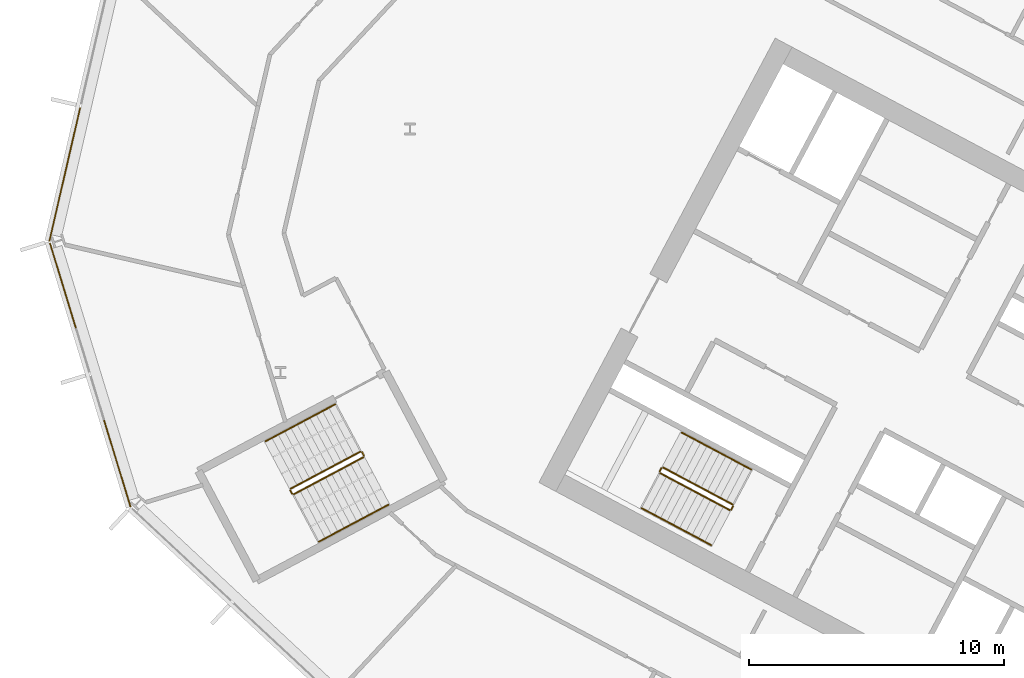
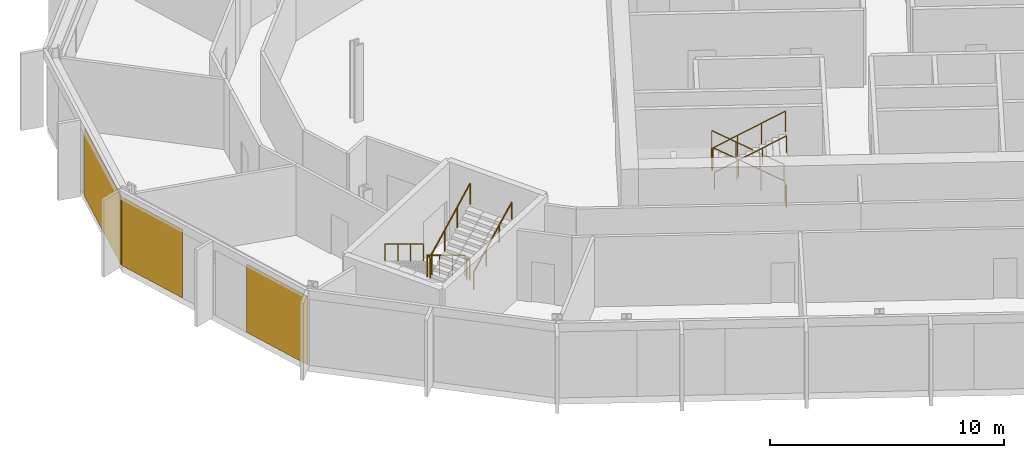
# One storey, part 21 of 28: 12 railings, 3 coverings, 2 elements without a shape of their own.
"""IFC4 building model written with IfcOpenShell, lengths in metres."""

from ifc_helpers import new_model, si_unit, direction, frame, origin, origin_2d, place, context, subcontext, project, spatial, polyline, rectangle, outline, extrude, material, layer, layer_set, type_object, element, aggregate, save


model = new_model("IFC4")

# Units and contexts
model_context = context("Model", 3, precision=1e-05, world=origin(), true_north=direction((0.0, 1.0)))
body_context = subcontext(model_context, "Body", "Model", "MODEL_VIEW")
ifc_project = project(units=[si_unit("LENGTHUNIT", "METRE"), si_unit("AREAUNIT", "SQUARE_METRE"), si_unit("VOLUMEUNIT", "CUBIC_METRE"), si_unit("PLANEANGLEUNIT", "RADIAN"), si_unit("MASSUNIT", "GRAM", prefix="KILO")], contexts=[model_context])

# Site, building, storey
site_placement = place(None, origin())
site = spatial("IfcSite", under=ifc_project, at=site_placement, CompositionType="ELEMENT")
building_placement = place(site_placement, origin())
building = spatial("IfcBuilding", under=site, at=building_placement, Name="Cormorant Relay Tower", CompositionType="ELEMENT")
storey_placement = place(building_placement, frame((0.0, 0.0, 138.199951171875)))
storey = spatial("IfcBuildingStorey", under=building, at=storey_placement, Name="L28", CompositionType="ELEMENT", Elevation=138.199951171875)

# Curtain wall, covering
ifc_material_1 = material(Name="Aluminium 6063-T6 anodised bronze", Category="aluminium")
ifc_layer_1 = layer(ifc_material_1, 0.199951171875)
ifc_layer_set_1 = layer_set([ifc_layer_1], Name="CW1 unitised bronze curtain wall with vertical fins")
curtain_wall_type = type_object("IfcCurtainWallType", Name="CW1 unitised bronze curtain wall with vertical fins", PredefinedType="NOTDEFINED", material=ifc_layer_set_1)
curtain_wall_1_placement = place(storey_placement, origin())
curtain_wall_1 = element("IfcCurtainWall", 1, at=curtain_wall_1_placement, inside=storey, type_object=curtain_wall_type, Name="CW1 curtain wall 13", PredefinedType="NOTDEFINED")
ifc_material_2 = material(Name="Pale bronze anodised aluminium insulated panel", Category="aluminium")
ifc_layer_2 = layer(ifc_material_2, 0.0400390625)
ifc_layer_set_2 = layer_set([ifc_layer_2], Name="CW1 pale bronze insulated panel 40")
covering_type = type_object("IfcCoveringType", Name="CW1 pale bronze insulated panel 40", PredefinedType="CLADDING", material=ifc_layer_set_2)
covering_1_placement = place(storey_placement, frame((-60.136474609375, 23.00927734375, 0.0), z_axis=(0.0, 0.0, 1.0), x_axis=(-0.224951054344, -0.974370064785, 0.0)))
covering_1 = element("IfcCovering", 2, at=covering_1_placement, type_object=covering_type, Name="CW1 panel S02", PredefinedType="CLADDING", context=body_context, shape_type="SweptSolid", body=[
    extrude(rectangle(XDim=5.360107421875, YDim=0.0400390625, at=origin_2d()), origin(), (0.0, 0.0, 1.0), 3.550048828125),
])
aggregate(curtain_wall_1, [covering_1])

# Curtain wall, coverings
curtain_wall_2_placement = place(storey_placement, origin())
curtain_wall_2 = element("IfcCurtainWall", 3, at=curtain_wall_2_placement, inside=storey, type_object=curtain_wall_type, Name="CW1 curtain wall 14", PredefinedType="NOTDEFINED")
covering_2_placement = place(storey_placement, frame((-60.20751953125, 18.6494140625, 0.0), z_axis=(0.0, 0.0, 1.0), x_axis=(0.292371704723, -0.956304755963, 0.0)))
covering_2 = element("IfcCovering", 4, at=covering_2_placement, type_object=covering_type, Name="CW1 panel S00", PredefinedType="CLADDING", context=body_context, shape_type="SweptSolid", body=[
    extrude(rectangle(XDim=3.485107421875, YDim=0.0400390625, at=origin_2d()), origin(), (0.0, 0.0, 1.0), 3.550048828125),
])
covering_3_placement = place(storey_placement, frame((-58.081298828125, 11.6943359375, 0.0), z_axis=(0.0, 0.0, 1.0), x_axis=(0.292371704723, -0.956304755963, 0.0)))
covering_3 = element("IfcCovering", 5, at=covering_3_placement, type_object=covering_type, Name="CW1 panel S03", PredefinedType="CLADDING", context=body_context, shape_type="SweptSolid", body=[
    extrude(rectangle(XDim=3.560302734375, YDim=0.0400390625, at=origin_2d()), origin(), (0.0, 0.0, 1.0), 3.550048828125),
])
aggregate(curtain_wall_2, [covering_2, covering_3])

# Railings
ifc_material_3 = material(Name="Steel ASTM A572 Grade 50 (Fy 345 MPa)", Category="steel")
railing_type_1 = type_object("IfcRailingType", Name="Stair guard 1100", PredefinedType="GUARDRAIL", material=ifc_material_3)
railing_1_placement = place(storey_placement, frame((-33.9921875, 10.08935546875, 0.166748046875)))
element("IfcRailing", 6, at=railing_1_placement, inside=storey, type_object=railing_type_1, Name="L28 A2 stair guard 1", PredefinedType="GUARDRAIL", context=body_context, shape_type="SweptSolid", body=[
    extrude(outline(polyline([(0.022216796875, 0.00927734375), (0.00927734375, 0.022216796875), (-0.00927734375, 0.022216796875), (-0.022216796875, 0.00927734375), (-0.022216796875, -0.00927734375), (-0.00927734375, -0.022216796875), (0.00927734375, -0.022216796875), (0.022216796875, -0.00927734375), (0.022216796875, 0.00927734375)])), frame((0.0, 0.0, 1.076171875), z_axis=(-0.758713656843, 0.403434867536, 0.511462505542), x_axis=(-0.469489399267, -0.882938108802, 0.0)), (0.0, 0.0, 1.0), 3.584228515625),
    extrude(outline(polyline([(0.019287109375, 0.008056640625), (0.008056640625, 0.019287109375), (-0.008056640625, 0.019287109375), (-0.019287109375, 0.008056640625), (-0.019287109375, -0.008056640625), (-0.008056640625, -0.019287109375), (0.008056640625, -0.019287109375), (0.019287109375, -0.008056640625), (0.019287109375, 0.008056640625)])), origin(), (0.0, 0.0, 1.0), 1.052001953125),
    extrude(outline(polyline([(0.019287109375, 0.008056640625), (0.008056640625, 0.019287109375), (-0.008056640625, 0.019287109375), (-0.019287109375, 0.008056640625), (-0.019287109375, -0.008056640625), (-0.008056640625, -0.019287109375), (0.008056640625, -0.019287109375), (0.019287109375, -0.008056640625), (0.019287109375, 0.008056640625)])), frame((-0.906494140625, 0.48193359375, 0.611083984375)), (0.0, 0.0, 1.0), 1.052001953125),
    extrude(outline(polyline([(0.019287109375, 0.008056640625), (0.008056640625, 0.019287109375), (-0.008056640625, 0.019287109375), (-0.019287109375, 0.008056640625), (-0.019287109375, -0.008056640625), (-0.008056640625, -0.019287109375), (0.008056640625, -0.019287109375), (0.019287109375, -0.008056640625), (0.019287109375, 0.008056640625)])), frame((-1.81298828125, 0.964111328125, 1.22216796875)), (0.0, 0.0, 1.0), 1.052001953125),
    extrude(outline(polyline([(0.019287109375, 0.008056640625), (0.008056640625, 0.019287109375), (-0.008056640625, 0.019287109375), (-0.019287109375, 0.008056640625), (-0.019287109375, -0.008056640625), (-0.008056640625, -0.019287109375), (0.008056640625, -0.019287109375), (0.019287109375, -0.008056640625), (0.019287109375, 0.008056640625)])), frame((-2.719482421875, 1.446044921875, 1.833251953125)), (0.0, 0.0, 1.0), 1.052001953125),
])
railing_2_placement = place(storey_placement, frame((-36.779296875, 11.5146484375, 2.0)))
element("IfcRailing", 7, at=railing_2_placement, inside=storey, type_object=railing_type_1, Name="L28 A2 stair guard 2", PredefinedType="GUARDRAIL", context=body_context, shape_type="SweptSolid", body=[
    extrude(outline(polyline([(0.022216796875, 0.00927734375), (0.00927734375, 0.022216796875), (-0.00927734375, 0.022216796875), (-0.022216796875, 0.00927734375), (-0.022216796875, -0.00927734375), (-0.00927734375, -0.022216796875), (0.00927734375, -0.022216796875), (0.022216796875, -0.00927734375), (0.022216796875, 0.00927734375)])), frame((0.0, 0.0, 1.076171875), z_axis=(-0.469234640946, -0.883073525669, 0.0), x_axis=(0.883073525669, -0.469234640946, 0.0)), (0.0, 0.0, 1.0), 0.14990234375),
    extrude(outline(polyline([(0.019287109375, 0.008056640625), (0.008056640625, 0.019287109375), (-0.008056640625, 0.019287109375), (-0.019287109375, 0.008056640625), (-0.019287109375, -0.008056640625), (-0.008056640625, -0.019287109375), (0.008056640625, -0.019287109375), (0.019287109375, -0.008056640625), (0.019287109375, 0.008056640625)])), origin(), (0.0, 0.0, 1.0), 1.052001953125),
    extrude(outline(polyline([(0.019287109375, 0.008056640625), (0.008056640625, 0.019287109375), (-0.008056640625, 0.019287109375), (-0.019287109375, 0.008056640625), (-0.019287109375, -0.008056640625), (-0.008056640625, -0.019287109375), (0.008056640625, -0.019287109375), (0.019287109375, -0.008056640625), (0.019287109375, 0.008056640625)])), frame((-0.0703125, -0.13232421875, 0.0)), (0.0, 0.0, 1.0), 1.052001953125),
])
railing_3_placement = place(storey_placement, frame((-36.8291015625, 11.314697265625, 2.166748046875)))
element("IfcRailing", 8, at=railing_3_placement, inside=storey, type_object=railing_type_1, Name="L28 A2 stair guard 3", PredefinedType="GUARDRAIL", context=body_context, shape_type="SweptSolid", body=[
    extrude(outline(polyline([(0.022216796875, 0.00927734375), (0.00927734375, 0.022216796875), (-0.00927734375, 0.022216796875), (-0.022216796875, 0.00927734375), (-0.022216796875, -0.00927734375), (-0.00927734375, -0.022216796875), (0.00927734375, -0.022216796875), (0.022216796875, -0.00927734375), (0.022216796875, 0.00927734375)])), frame((0.0, 0.0, 1.076171875), z_axis=(0.758713656843, -0.403434867536, 0.511462505542), x_axis=(0.469489399267, 0.882938108802, 0.0)), (0.0, 0.0, 1.0), 3.584228515625),
    extrude(outline(polyline([(0.019287109375, 0.008056640625), (0.008056640625, 0.019287109375), (-0.008056640625, 0.019287109375), (-0.019287109375, 0.008056640625), (-0.019287109375, -0.008056640625), (-0.008056640625, -0.019287109375), (0.008056640625, -0.019287109375), (0.019287109375, -0.008056640625), (0.019287109375, 0.008056640625)])), origin(), (0.0, 0.0, 1.0), 1.052001953125),
    extrude(outline(polyline([(0.019287109375, 0.008056640625), (0.008056640625, 0.019287109375), (-0.008056640625, 0.019287109375), (-0.019287109375, 0.008056640625), (-0.019287109375, -0.008056640625), (-0.008056640625, -0.019287109375), (0.008056640625, -0.019287109375), (0.019287109375, -0.008056640625), (0.019287109375, 0.008056640625)])), frame((0.906494140625, -0.48193359375, 0.611083984375)), (0.0, 0.0, 1.0), 1.052001953125),
    extrude(outline(polyline([(0.019287109375, 0.008056640625), (0.008056640625, 0.019287109375), (-0.008056640625, 0.019287109375), (-0.019287109375, 0.008056640625), (-0.019287109375, -0.008056640625), (-0.008056640625, -0.019287109375), (0.008056640625, -0.019287109375), (0.019287109375, -0.008056640625), (0.019287109375, 0.008056640625)])), frame((1.81298828125, -0.964111328125, 1.22216796875)), (0.0, 0.0, 1.0), 1.052001953125),
    extrude(outline(polyline([(0.019287109375, 0.008056640625), (0.008056640625, 0.019287109375), (-0.008056640625, 0.019287109375), (-0.019287109375, 0.008056640625), (-0.019287109375, -0.008056640625), (-0.008056640625, -0.019287109375), (0.008056640625, -0.019287109375), (0.019287109375, -0.008056640625), (0.019287109375, 0.008056640625)])), frame((2.719482421875, -1.446044921875, 1.833251953125)), (0.0, 0.0, 1.0), 1.052001953125),
])
railing_4_placement = place(storey_placement, frame((-33.971435546875, 10.021728515625, 0.0)))
element("IfcRailing", 9, at=railing_4_placement, inside=storey, type_object=railing_type_1, Name="L28 A2 stair guard 4", PredefinedType="GUARDRAIL", context=body_context, shape_type="SweptSolid", body=[
    extrude(outline(polyline([(0.022216796875, 0.00927734375), (0.00927734375, 0.022216796875), (-0.00927734375, 0.022216796875), (-0.022216796875, 0.00927734375), (-0.022216796875, -0.00927734375), (-0.00927734375, -0.022216796875), (0.00927734375, -0.022216796875), (0.022216796875, -0.00927734375), (0.022216796875, 0.00927734375)])), frame((0.0, 0.0, 1.076171875), z_axis=(-0.470503732759, -0.882398003998, 0.0), x_axis=(0.882398003998, -0.470503732759, 0.0)), (0.0, 0.0, 1.0), 0.14990234375),
    extrude(outline(polyline([(0.019287109375, 0.008056640625), (0.008056640625, 0.019287109375), (-0.008056640625, 0.019287109375), (-0.019287109375, 0.008056640625), (-0.019287109375, -0.008056640625), (-0.008056640625, -0.019287109375), (0.008056640625, -0.019287109375), (0.019287109375, -0.008056640625), (0.019287109375, 0.008056640625)])), origin(), (0.0, 0.0, 1.0), 1.052001953125),
    extrude(outline(polyline([(0.019287109375, 0.008056640625), (0.008056640625, 0.019287109375), (-0.008056640625, 0.019287109375), (-0.019287109375, 0.008056640625), (-0.019287109375, -0.008056640625), (-0.008056640625, -0.019287109375), (0.008056640625, -0.019287109375), (0.019287109375, -0.008056640625), (0.019287109375, 0.008056640625)])), frame((-0.070556640625, -0.13232421875, 0.0)), (0.0, 0.0, 1.0), 1.052001953125),
])
railing_5_placement = place(storey_placement, frame((-48.5693359375, 12.155517578125, 0.166748046875)))
element("IfcRailing", 10, at=railing_5_placement, inside=storey, type_object=railing_type_1, Name="L28 RP1 stair guard 1", PredefinedType="GUARDRAIL", context=body_context, shape_type="SweptSolid", body=[
    extrude(outline(polyline([(0.022216796875, 0.00927734375), (0.00927734375, 0.022216796875), (-0.00927734375, 0.022216796875), (-0.022216796875, 0.00927734375), (-0.022216796875, -0.00927734375), (-0.00927734375, -0.022216796875), (0.00927734375, -0.022216796875), (0.022216796875, -0.00927734375), (0.022216796875, 0.00927734375)])), frame((0.0, 0.0, 1.076171875), z_axis=(-0.758713656843, -0.403434867536, 0.511462505542), x_axis=(0.469489399267, -0.882938108802, 0.0)), (0.0, 0.0, 1.0), 3.584228515625),
    extrude(outline(polyline([(0.019287109375, 0.008056640625), (0.008056640625, 0.019287109375), (-0.008056640625, 0.019287109375), (-0.019287109375, 0.008056640625), (-0.019287109375, -0.008056640625), (-0.008056640625, -0.019287109375), (0.008056640625, -0.019287109375), (0.019287109375, -0.008056640625), (0.019287109375, 0.008056640625)])), origin(), (0.0, 0.0, 1.0), 1.052001953125),
    extrude(outline(polyline([(0.019287109375, 0.008056640625), (0.008056640625, 0.019287109375), (-0.008056640625, 0.019287109375), (-0.019287109375, 0.008056640625), (-0.019287109375, -0.008056640625), (-0.008056640625, -0.019287109375), (0.008056640625, -0.019287109375), (0.019287109375, -0.008056640625), (0.019287109375, 0.008056640625)])), frame((-0.906494140625, -0.48193359375, 0.611083984375)), (0.0, 0.0, 1.0), 1.052001953125),
    extrude(outline(polyline([(0.019287109375, 0.008056640625), (0.008056640625, 0.019287109375), (-0.008056640625, 0.019287109375), (-0.019287109375, 0.008056640625), (-0.019287109375, -0.008056640625), (-0.008056640625, -0.019287109375), (0.008056640625, -0.019287109375), (0.019287109375, -0.008056640625), (0.019287109375, 0.008056640625)])), frame((-1.81298828125, -0.964111328125, 1.22216796875)), (0.0, 0.0, 1.0), 1.052001953125),
    extrude(outline(polyline([(0.019287109375, 0.008056640625), (0.008056640625, 0.019287109375), (-0.008056640625, 0.019287109375), (-0.019287109375, 0.008056640625), (-0.019287109375, -0.008056640625), (-0.008056640625, -0.019287109375), (0.008056640625, -0.019287109375), (0.019287109375, -0.008056640625), (0.019287109375, 0.008056640625)])), frame((-2.719482421875, -1.446044921875, 1.833251953125)), (0.0, 0.0, 1.0), 1.052001953125),
])
railing_6_placement = place(storey_placement, frame((-51.3095703125, 10.641845703125, 2.0)))
element("IfcRailing", 11, at=railing_6_placement, inside=storey, type_object=railing_type_1, Name="L28 RP1 stair guard 2", PredefinedType="GUARDRAIL", context=body_context, shape_type="SweptSolid", body=[
    extrude(outline(polyline([(0.022216796875, 0.00927734375), (0.00927734375, 0.022216796875), (-0.00927734375, 0.022216796875), (-0.022216796875, 0.00927734375), (-0.022216796875, -0.00927734375), (-0.00927734375, -0.022216796875), (0.00927734375, -0.022216796875), (0.022216796875, -0.00927734375), (0.022216796875, 0.00927734375)])), frame((0.0, 0.0, 1.076171875), z_axis=(0.469828648786, -0.882757634224, 0.0), x_axis=(0.882757634224, 0.469828648786, 0.0)), (0.0, 0.0, 1.0), 0.150146484375),
    extrude(outline(polyline([(0.019287109375, 0.008056640625), (0.008056640625, 0.019287109375), (-0.008056640625, 0.019287109375), (-0.019287109375, 0.008056640625), (-0.019287109375, -0.008056640625), (-0.008056640625, -0.019287109375), (0.008056640625, -0.019287109375), (0.019287109375, -0.008056640625), (0.019287109375, 0.008056640625)])), origin(), (0.0, 0.0, 1.0), 1.052001953125),
    extrude(outline(polyline([(0.019287109375, 0.008056640625), (0.008056640625, 0.019287109375), (-0.008056640625, 0.019287109375), (-0.019287109375, 0.008056640625), (-0.019287109375, -0.008056640625), (-0.008056640625, -0.019287109375), (0.008056640625, -0.019287109375), (0.019287109375, -0.008056640625), (0.019287109375, 0.008056640625)])), frame((0.070556640625, -0.132568359375, 0.0)), (0.0, 0.0, 1.0), 1.052001953125),
])
railing_7_placement = place(storey_placement, frame((-51.17138671875, 10.48876953125, 2.166748046875)))
element("IfcRailing", 12, at=railing_7_placement, inside=storey, type_object=railing_type_1, Name="L28 RP1 stair guard 3", PredefinedType="GUARDRAIL", context=body_context, shape_type="SweptSolid", body=[
    extrude(outline(polyline([(0.022216796875, 0.00927734375), (0.00927734375, 0.022216796875), (-0.00927734375, 0.022216796875), (-0.022216796875, 0.00927734375), (-0.022216796875, -0.00927734375), (-0.00927734375, -0.022216796875), (0.00927734375, -0.022216796875), (0.022216796875, -0.00927734375), (0.022216796875, 0.00927734375)])), frame((0.0, 0.0, 1.076171875), z_axis=(0.758734504837, 0.403377838015, 0.511476559549), x_axis=(-0.469427602063, 0.882970965786, 0.0)), (0.0, 0.0, 1.0), 3.584228515625),
    extrude(outline(polyline([(0.019287109375, 0.008056640625), (0.008056640625, 0.019287109375), (-0.008056640625, 0.019287109375), (-0.019287109375, 0.008056640625), (-0.019287109375, -0.008056640625), (-0.008056640625, -0.019287109375), (0.008056640625, -0.019287109375), (0.019287109375, -0.008056640625), (0.019287109375, 0.008056640625)])), origin(), (0.0, 0.0, 1.0), 1.052001953125),
    extrude(outline(polyline([(0.019287109375, 0.008056640625), (0.008056640625, 0.019287109375), (-0.008056640625, 0.019287109375), (-0.019287109375, 0.008056640625), (-0.019287109375, -0.008056640625), (-0.008056640625, -0.019287109375), (0.008056640625, -0.019287109375), (0.019287109375, -0.008056640625), (0.019287109375, 0.008056640625)])), frame((0.906494140625, 0.48193359375, 0.611083984375)), (0.0, 0.0, 1.0), 1.052001953125),
    extrude(outline(polyline([(0.019287109375, 0.008056640625), (0.008056640625, 0.019287109375), (-0.008056640625, 0.019287109375), (-0.019287109375, 0.008056640625), (-0.019287109375, -0.008056640625), (-0.008056640625, -0.019287109375), (0.008056640625, -0.019287109375), (0.019287109375, -0.008056640625), (0.019287109375, 0.008056640625)])), frame((1.81298828125, 0.9638671875, 1.22216796875)), (0.0, 0.0, 1.0), 1.052001953125),
    extrude(outline(polyline([(0.019287109375, 0.008056640625), (0.008056640625, 0.019287109375), (-0.008056640625, 0.019287109375), (-0.019287109375, 0.008056640625), (-0.019287109375, -0.008056640625), (-0.008056640625, -0.019287109375), (0.008056640625, -0.019287109375), (0.019287109375, -0.008056640625), (0.019287109375, 0.008056640625)])), frame((2.719482421875, 1.44580078125, 1.833251953125)), (0.0, 0.0, 1.0), 1.052001953125),
])
railing_8_placement = place(storey_placement, frame((-48.501708984375, 12.134765625, 0.0)))
element("IfcRailing", 13, at=railing_8_placement, inside=storey, type_object=railing_type_1, Name="L28 RP1 stair guard 4", PredefinedType="GUARDRAIL", context=body_context, shape_type="SweptSolid", body=[
    extrude(outline(polyline([(0.022216796875, 0.00927734375), (0.00927734375, 0.022216796875), (-0.00927734375, 0.022216796875), (-0.022216796875, 0.00927734375), (-0.022216796875, -0.00927734375), (-0.00927734375, -0.022216796875), (0.00927734375, -0.022216796875), (0.022216796875, -0.00927734375), (0.022216796875, 0.00927734375)])), frame((0.0, 0.0, 1.076171875), z_axis=(0.46856034887, -0.8834314911, 0.0), x_axis=(0.8834314911, 0.46856034887, 0.0)), (0.0, 0.0, 1.0), 0.150146484375),
    extrude(outline(polyline([(0.019287109375, 0.008056640625), (0.008056640625, 0.019287109375), (-0.008056640625, 0.019287109375), (-0.019287109375, 0.008056640625), (-0.019287109375, -0.008056640625), (-0.008056640625, -0.019287109375), (0.008056640625, -0.019287109375), (0.019287109375, -0.008056640625), (0.019287109375, 0.008056640625)])), origin(), (0.0, 0.0, 1.0), 1.052001953125),
    extrude(outline(polyline([(0.019287109375, 0.008056640625), (0.008056640625, 0.019287109375), (-0.008056640625, 0.019287109375), (-0.019287109375, 0.008056640625), (-0.019287109375, -0.008056640625), (-0.008056640625, -0.019287109375), (0.008056640625, -0.019287109375), (0.019287109375, -0.008056640625), (0.019287109375, 0.008056640625)])), frame((0.0703125, -0.132568359375, 0.0)), (0.0, 0.0, 1.0), 1.052001953125),
])
ifc_material_4 = material(Name="Steel ASTM A572 Grade 50 (Fy 345 MPa)", Category="steel")
railing_type_2 = type_object("IfcRailingType", Name="Stair handrail 900", PredefinedType="HANDRAIL", material=ifc_material_4)
railing_9_placement = place(storey_placement, frame((-33.264404296875, 11.4580078125, 0.166748046875)))
element("IfcRailing", 14, at=railing_9_placement, inside=storey, type_object=railing_type_2, Name="L28 A2 stair handrail 1", PredefinedType="HANDRAIL", context=body_context, shape_type="SweptSolid", body=[
    extrude(outline(polyline([(0.022216796875, 0.00927734375), (0.00927734375, 0.022216796875), (-0.00927734375, 0.022216796875), (-0.022216796875, 0.00927734375), (-0.022216796875, -0.00927734375), (-0.00927734375, -0.022216796875), (0.00927734375, -0.022216796875), (0.022216796875, -0.00927734375), (0.022216796875, 0.00927734375)])), frame((0.0, 0.0, 0.8759765625), z_axis=(-0.758734504837, 0.403377838015, 0.511476559549), x_axis=(-0.469427602063, -0.882970965786, 0.0)), (0.0, 0.0, 1.0), 3.584228515625),
    extrude(outline(polyline([(0.019287109375, 0.008056640625), (0.008056640625, 0.019287109375), (-0.008056640625, 0.019287109375), (-0.019287109375, 0.008056640625), (-0.019287109375, -0.008056640625), (-0.008056640625, -0.019287109375), (0.008056640625, -0.019287109375), (0.019287109375, -0.008056640625), (0.019287109375, 0.008056640625)])), origin(), (0.0, 0.0, 1.0), 0.851806640625),
    extrude(outline(polyline([(0.019287109375, 0.008056640625), (0.008056640625, 0.019287109375), (-0.008056640625, 0.019287109375), (-0.019287109375, 0.008056640625), (-0.019287109375, -0.008056640625), (-0.008056640625, -0.019287109375), (0.008056640625, -0.019287109375), (0.019287109375, -0.008056640625), (0.019287109375, 0.008056640625)])), frame((-0.906494140625, 0.48193359375, 0.611083984375)), (0.0, 0.0, 1.0), 0.851806640625),
    extrude(outline(polyline([(0.019287109375, 0.008056640625), (0.008056640625, 0.019287109375), (-0.008056640625, 0.019287109375), (-0.019287109375, 0.008056640625), (-0.019287109375, -0.008056640625), (-0.008056640625, -0.019287109375), (0.008056640625, -0.019287109375), (0.019287109375, -0.008056640625), (0.019287109375, 0.008056640625)])), frame((-1.81298828125, 0.9638671875, 1.22216796875)), (0.0, 0.0, 1.0), 0.851806640625),
    extrude(outline(polyline([(0.019287109375, 0.008056640625), (0.008056640625, 0.019287109375), (-0.008056640625, 0.019287109375), (-0.019287109375, 0.008056640625), (-0.019287109375, -0.008056640625), (-0.008056640625, -0.019287109375), (0.008056640625, -0.019287109375), (0.019287109375, -0.008056640625), (0.019287109375, 0.008056640625)])), frame((-2.719482421875, 1.44580078125, 1.833251953125)), (0.0, 0.0, 1.0), 0.851806640625),
])
railing_10_placement = place(storey_placement, frame((-37.556640625, 9.946044921875, 2.166748046875)))
element("IfcRailing", 15, at=railing_10_placement, inside=storey, type_object=railing_type_2, Name="L28 A2 stair handrail 2", PredefinedType="HANDRAIL", context=body_context, shape_type="SweptSolid", body=[
    extrude(outline(polyline([(0.022216796875, 0.00927734375), (0.00927734375, 0.022216796875), (-0.00927734375, 0.022216796875), (-0.022216796875, 0.00927734375), (-0.022216796875, -0.00927734375), (-0.00927734375, -0.022216796875), (0.00927734375, -0.022216796875), (0.022216796875, -0.00927734375), (0.022216796875, 0.00927734375)])), frame((0.0, 0.0, 0.8759765625), z_axis=(0.758713656843, -0.403434867536, 0.511462505542), x_axis=(0.469489399267, 0.882938108802, 0.0)), (0.0, 0.0, 1.0), 3.584228515625),
    extrude(outline(polyline([(0.019287109375, 0.008056640625), (0.008056640625, 0.019287109375), (-0.008056640625, 0.019287109375), (-0.019287109375, 0.008056640625), (-0.019287109375, -0.008056640625), (-0.008056640625, -0.019287109375), (0.008056640625, -0.019287109375), (0.019287109375, -0.008056640625), (0.019287109375, 0.008056640625)])), origin(), (0.0, 0.0, 1.0), 0.851806640625),
    extrude(outline(polyline([(0.019287109375, 0.008056640625), (0.008056640625, 0.019287109375), (-0.008056640625, 0.019287109375), (-0.019287109375, 0.008056640625), (-0.019287109375, -0.008056640625), (-0.008056640625, -0.019287109375), (0.008056640625, -0.019287109375), (0.019287109375, -0.008056640625), (0.019287109375, 0.008056640625)])), frame((0.906494140625, -0.48193359375, 0.611083984375)), (0.0, 0.0, 1.0), 0.851806640625),
    extrude(outline(polyline([(0.019287109375, 0.008056640625), (0.008056640625, 0.019287109375), (-0.008056640625, 0.019287109375), (-0.019287109375, 0.008056640625), (-0.019287109375, -0.008056640625), (-0.008056640625, -0.019287109375), (0.008056640625, -0.019287109375), (0.019287109375, -0.008056640625), (0.019287109375, 0.008056640625)])), frame((1.81298828125, -0.964111328125, 1.22216796875)), (0.0, 0.0, 1.0), 0.851806640625),
    extrude(outline(polyline([(0.019287109375, 0.008056640625), (0.008056640625, 0.019287109375), (-0.008056640625, 0.019287109375), (-0.019287109375, 0.008056640625), (-0.019287109375, -0.008056640625), (-0.008056640625, -0.019287109375), (0.008056640625, -0.019287109375), (0.019287109375, -0.008056640625), (0.019287109375, 0.008056640625)])), frame((2.719482421875, -1.446044921875, 1.833251953125)), (0.0, 0.0, 1.0), 0.851806640625),
])
railing_11_placement = place(storey_placement, frame((-49.55517578125, 14.009521484375, 0.166748046875)))
element("IfcRailing", 16, at=railing_11_placement, inside=storey, type_object=railing_type_2, Name="L28 RP1 stair handrail 1", PredefinedType="HANDRAIL", context=body_context, shape_type="SweptSolid", body=[
    extrude(outline(polyline([(0.022216796875, 0.00927734375), (0.00927734375, 0.022216796875), (-0.00927734375, 0.022216796875), (-0.022216796875, 0.00927734375), (-0.022216796875, -0.00927734375), (-0.00927734375, -0.022216796875), (0.00927734375, -0.022216796875), (0.022216796875, -0.00927734375), (0.022216796875, 0.00927734375)])), frame((0.0, 0.0, 0.8759765625), z_axis=(-0.758734504837, -0.403377838015, 0.511476559549), x_axis=(0.469427602063, -0.882970965786, 0.0)), (0.0, 0.0, 1.0), 3.584228515625),
    extrude(outline(polyline([(0.019287109375, 0.008056640625), (0.008056640625, 0.019287109375), (-0.008056640625, 0.019287109375), (-0.019287109375, 0.008056640625), (-0.019287109375, -0.008056640625), (-0.008056640625, -0.019287109375), (0.008056640625, -0.019287109375), (0.019287109375, -0.008056640625), (0.019287109375, 0.008056640625)])), origin(), (0.0, 0.0, 1.0), 0.851806640625),
    extrude(outline(polyline([(0.019287109375, 0.008056640625), (0.008056640625, 0.019287109375), (-0.008056640625, 0.019287109375), (-0.019287109375, 0.008056640625), (-0.019287109375, -0.008056640625), (-0.008056640625, -0.019287109375), (0.008056640625, -0.019287109375), (0.019287109375, -0.008056640625), (0.019287109375, 0.008056640625)])), frame((-0.906494140625, -0.48193359375, 0.611083984375)), (0.0, 0.0, 1.0), 0.851806640625),
    extrude(outline(polyline([(0.019287109375, 0.008056640625), (0.008056640625, 0.019287109375), (-0.008056640625, 0.019287109375), (-0.019287109375, 0.008056640625), (-0.019287109375, -0.008056640625), (-0.008056640625, -0.019287109375), (0.008056640625, -0.019287109375), (0.019287109375, -0.008056640625), (0.019287109375, 0.008056640625)])), frame((-1.81298828125, -0.9638671875, 1.22216796875)), (0.0, 0.0, 1.0), 0.851806640625),
    extrude(outline(polyline([(0.019287109375, 0.008056640625), (0.008056640625, 0.019287109375), (-0.008056640625, 0.019287109375), (-0.019287109375, 0.008056640625), (-0.019287109375, -0.008056640625), (-0.008056640625, -0.019287109375), (0.008056640625, -0.019287109375), (0.019287109375, -0.008056640625), (0.019287109375, 0.008056640625)])), frame((-2.719482421875, -1.44580078125, 1.833251953125)), (0.0, 0.0, 1.0), 0.851806640625),
])
railing_12_placement = place(storey_placement, frame((-50.185546875, 8.634521484375, 2.166748046875)))
element("IfcRailing", 17, at=railing_12_placement, inside=storey, type_object=railing_type_2, Name="L28 RP1 stair handrail 2", PredefinedType="HANDRAIL", context=body_context, shape_type="SweptSolid", body=[
    extrude(outline(polyline([(0.022216796875, 0.00927734375), (0.00927734375, 0.022216796875), (-0.00927734375, 0.022216796875), (-0.022216796875, 0.00927734375), (-0.022216796875, -0.00927734375), (-0.00927734375, -0.022216796875), (0.00927734375, -0.022216796875), (0.022216796875, -0.00927734375), (0.022216796875, 0.00927734375)])), frame((0.0, 0.0, 0.8759765625), z_axis=(0.758713656843, 0.403434867536, 0.511462505542), x_axis=(-0.469489399267, 0.882938108802, 0.0)), (0.0, 0.0, 1.0), 3.584228515625),
    extrude(outline(polyline([(0.019287109375, 0.008056640625), (0.008056640625, 0.019287109375), (-0.008056640625, 0.019287109375), (-0.019287109375, 0.008056640625), (-0.019287109375, -0.008056640625), (-0.008056640625, -0.019287109375), (0.008056640625, -0.019287109375), (0.019287109375, -0.008056640625), (0.019287109375, 0.008056640625)])), origin(), (0.0, 0.0, 1.0), 0.851806640625),
    extrude(outline(polyline([(0.019287109375, 0.008056640625), (0.008056640625, 0.019287109375), (-0.008056640625, 0.019287109375), (-0.019287109375, 0.008056640625), (-0.019287109375, -0.008056640625), (-0.008056640625, -0.019287109375), (0.008056640625, -0.019287109375), (0.019287109375, -0.008056640625), (0.019287109375, 0.008056640625)])), frame((0.906494140625, 0.48193359375, 0.611083984375)), (0.0, 0.0, 1.0), 0.851806640625),
    extrude(outline(polyline([(0.019287109375, 0.008056640625), (0.008056640625, 0.019287109375), (-0.008056640625, 0.019287109375), (-0.019287109375, 0.008056640625), (-0.019287109375, -0.008056640625), (-0.008056640625, -0.019287109375), (0.008056640625, -0.019287109375), (0.019287109375, -0.008056640625), (0.019287109375, 0.008056640625)])), frame((1.81298828125, 0.964111328125, 1.22216796875)), (0.0, 0.0, 1.0), 0.851806640625),
    extrude(outline(polyline([(0.019287109375, 0.008056640625), (0.008056640625, 0.019287109375), (-0.008056640625, 0.019287109375), (-0.019287109375, 0.008056640625), (-0.019287109375, -0.008056640625), (-0.008056640625, -0.019287109375), (0.008056640625, -0.019287109375), (0.019287109375, -0.008056640625), (0.019287109375, 0.008056640625)])), frame((2.719482421875, 1.446044921875, 1.833251953125)), (0.0, 0.0, 1.0), 0.851806640625),
])

save(model, "model.ifc")
